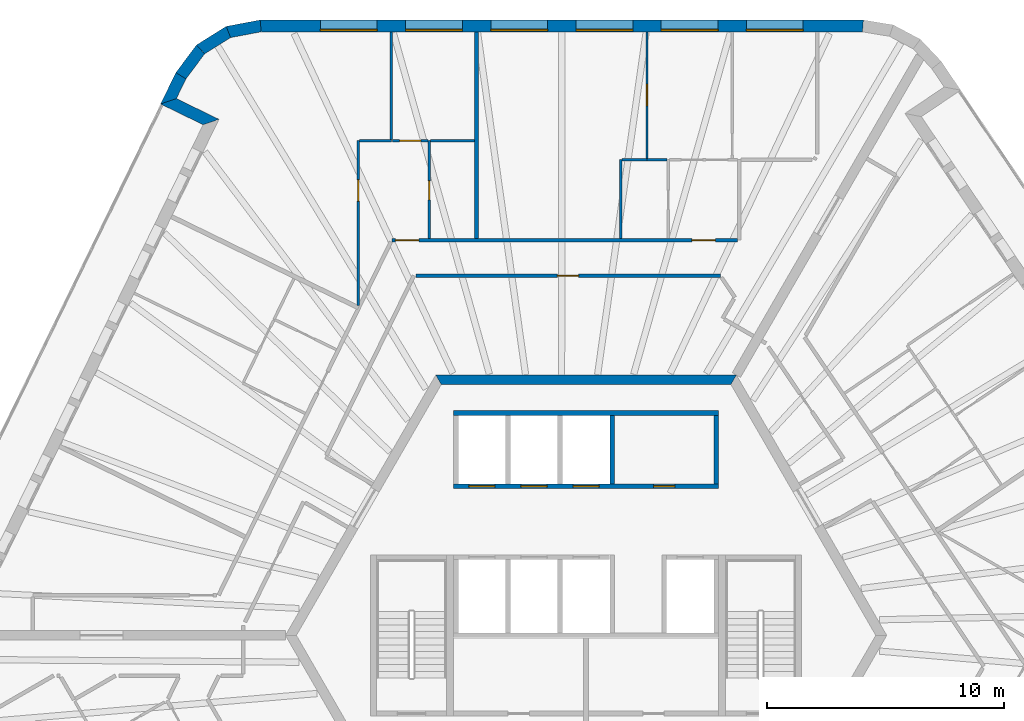
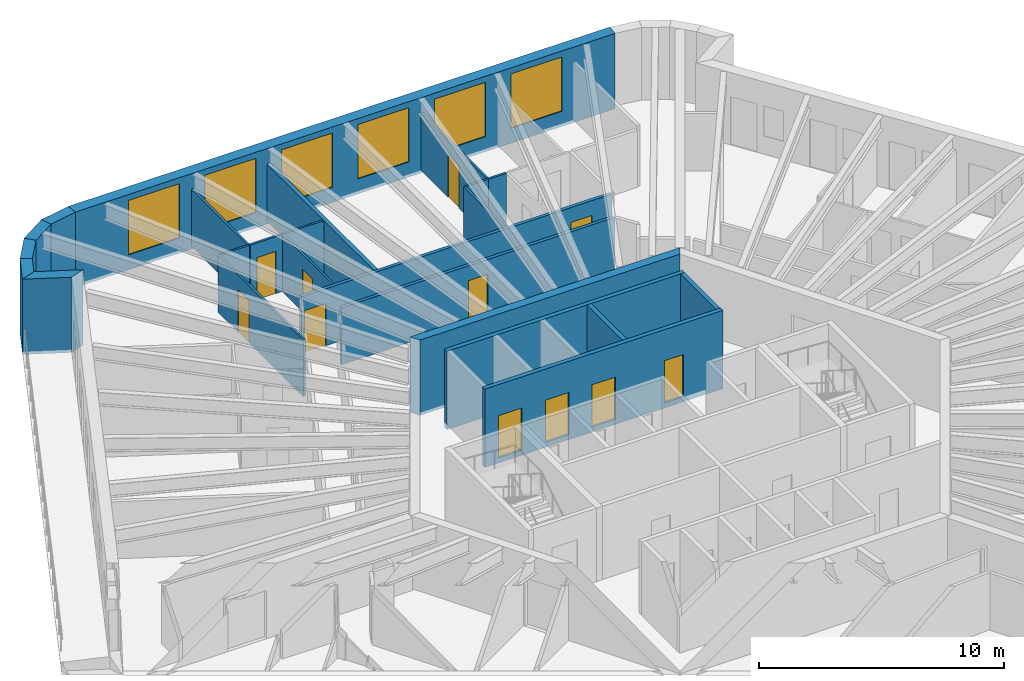
# One storey, part 9 of 12: 24 walls, 11 doors, 6 windows, 17 openings.
"""IFC4 building model written with IfcOpenShell, lengths in metres."""

from ifc_helpers import new_model, si_unit, direction, frame, frame_2d, origin, place, context, subcontext, project, spatial, polyline, rectangle, outline, extrude, material, layer, layer_set, type_object, element, fill, save


model = new_model("IFC4")

# Units and contexts
model_context = context("Model", 3, precision=1e-05, world=origin(), true_north=direction((0.0, 1.0)))
body_context = subcontext(model_context, "Body", "Model", "MODEL_VIEW")
ifc_project = project(units=[si_unit("LENGTHUNIT", "METRE"), si_unit("AREAUNIT", "SQUARE_METRE"), si_unit("VOLUMEUNIT", "CUBIC_METRE"), si_unit("PLANEANGLEUNIT", "RADIAN"), si_unit("MASSUNIT", "GRAM", prefix="KILO")], contexts=[model_context])

# Site, building, storey
site_placement = place(None, origin())
site = spatial("IfcSite", under=ifc_project, at=site_placement, CompositionType="ELEMENT")
building_placement = place(site_placement, origin())
building = spatial("IfcBuilding", under=site, at=building_placement, Name="Tarnside Tower", CompositionType="ELEMENT")
storey_placement = place(building_placement, frame((0.0, 0.0, 334.199951171875)))
storey = spatial("IfcBuildingStorey", under=building, at=storey_placement, Name="L81", CompositionType="ELEMENT", Elevation=334.199951171875)

# Walls
ifc_material_1 = material(Name="Gypsum board partition on steel studs", Category="steel")
ifc_layer_1 = layer(ifc_material_1, 0.10009765625)
ifc_layer_set_1 = layer_set([ifc_layer_1], Name="Bathroom wall 100")
wall_type_1 = type_object("IfcWallType", Name="Bathroom wall 100", PredefinedType="PARTITIONING", material=ifc_layer_set_1)
wall_1_placement = place(storey_placement, frame((1.467041015625, 16.77490234375, 0.0), z_axis=(0.0, 0.0, 1.0), x_axis=(0.0, 1.0, 0.0)))
element("IfcWall", 1, at=wall_1_placement, inside=storey, type_object=wall_type_1, Name="Bathroom wall 26084", PredefinedType="PARTITIONING", context=body_context, shape_type="SweptSolid", body=[
    extrude(rectangle(XDim=3.3251953125, YDim=0.10009765625, at=frame_2d((1.66259765625, 0.0))), origin(), (0.0, 0.0, 1.0), 2.837890625),
])
wall_2_placement = place(storey_placement, frame((1.51708984375, 20.10009765625, 0.0), z_axis=(0.0, 0.0, 1.0), x_axis=(1.0, 0.0, 0.0)))
element("IfcWall", 2, at=wall_2_placement, inside=storey, type_object=wall_type_1, Name="Bathroom wall 26085", PredefinedType="PARTITIONING", context=body_context, shape_type="SweptSolid", body=[
    extrude(rectangle(XDim=1.06005859375, YDim=0.10009765625, at=frame_2d((0.530029296875, 0.0))), origin(), (0.0, 0.0, 1.0), 2.837890625),
])
wall_3_placement = place(storey_placement, frame((3.419189453125, 20.10009765625, 0.0), z_axis=(0.0, 0.0, 1.0), x_axis=(-1.0, 0.0, 0.0)))
element("IfcWall", 3, at=wall_3_placement, inside=storey, type_object=wall_type_1, Name="Bathroom wall 26092", PredefinedType="PARTITIONING", context=body_context, shape_type="SweptSolid", body=[
    extrude(rectangle(XDim=0.843994140625, YDim=0.10009765625, at=frame_2d((0.421875, 0.0))), origin(), (0.0, 0.0, 1.0), 2.837890625),
])

# Wall, opening, door
wall_4_placement = place(storey_placement, frame((-6.624755859375, 16.77490234375, 0.0), z_axis=(0.0, 0.0, 1.0), x_axis=(0.0, 1.0, 0.0)))
wall_4 = element("IfcWall", 4, at=wall_4_placement, inside=storey, type_object=wall_type_1, Name="Bathroom wall 26099", PredefinedType="PARTITIONING", context=body_context, shape_type="SweptSolid", body=[
    extrude(rectangle(XDim=4.125, YDim=0.10009765625, at=frame_2d((2.0625, 0.0))), origin(), (0.0, 0.0, 1.0), 2.837890625),
])
opening_1_placement = place(wall_4_placement, frame((1.625, 0.0, 0.0)))
opening_1 = element("IfcOpeningElement", 5, at=opening_1_placement, cuts=wall_4, Name="Opening D-B1", PredefinedType="OPENING", context=body_context, shape_type="SweptSolid", body=[
    extrude(rectangle(XDim=0.800048828125, YDim=2.10009765625, at=frame_2d((0.39990234375, 1.050048828125))), frame((0.0, 0.06005859375, 0.0), z_axis=(0.0, -1.0, 0.0), x_axis=(1.0, 0.0, 0.0)), (0.0, 0.0, 1.0), 0.1201171875),
])
ifc_material_2 = material(Name="Timber door leaf", Category="wood")
door_type_1 = type_object("IfcDoorType", Name="Bathroom door 800", OperationType="NOTDEFINED", PredefinedType="DOOR", material=ifc_material_2)
door_1_placement = place(opening_1_placement, origin())
door_1 = element("IfcDoor", 6, at=door_1_placement, inside=storey, type_object=door_type_1, Name="Bathroom door 26011", OperationType="SINGLE_SWING_RIGHT", OverallHeight=2.10009765625, OverallWidth=0.800048828125, PredefinedType="DOOR", context=body_context, shape_type="SweptSolid", body=[
    extrude(rectangle(XDim=0.800048828125, YDim=2.10009765625, at=frame_2d((0.39990234375, 1.050048828125))), frame((0.0, 0.02490234375, 0.0), z_axis=(0.0, -1.0, 0.0), x_axis=(1.0, 0.0, 0.0)), (0.0, 0.0, 1.0), 0.050048828125),
])
fill(opening_1, door_1)

# Walls
wall_5_placement = place(storey_placement, frame((-4.71484375, 20.89990234375, 0.0), z_axis=(0.0, 0.0, 1.0), x_axis=(-1.0, 0.0, 0.0)))
element("IfcWall", 7, at=wall_5_placement, inside=storey, type_object=wall_type_1, Name="Bathroom wall 26101", PredefinedType="PARTITIONING", context=body_context, shape_type="SweptSolid", body=[
    extrude(rectangle(XDim=1.862060546875, YDim=0.10009765625, at=frame_2d((0.93115234375, 0.0))), origin(), (0.0, 0.0, 1.0), 2.837890625),
])
ifc_material_3 = material(Name="Concrete C60/75", Category="concrete")
ifc_layer_2 = layer(ifc_material_3, 0.39990234375)
ifc_layer_set_2 = layer_set([ifc_layer_2], Name="Core wall Z3 400 C60/75")
wall_type_2 = type_object("IfcWallType", Name="Core wall Z3 400 C60/75", PredefinedType="SHEAR", material=ifc_layer_set_2)
wall_6_placement = place(storey_placement, frame((6.2353515625, 10.800048828125, -0.14990234375), z_axis=(0.0, 0.0, 1.0), x_axis=(-1.0, 0.0, 0.0)))
element("IfcWall", 8, at=wall_6_placement, inside=storey, type_object=wall_type_2, Name="L81 core wall face 1", PredefinedType="SHEAR", context=body_context, shape_type="SweptSolid", body=[
    extrude(outline(polyline([(-0.115478515625, -0.199951171875), (12.586181640625, -0.199951171875), (12.355224609375, 0.199951171875), (0.115478515625, 0.199951171875), (-0.115478515625, -0.199951171875)])), origin(), (0.0, 0.0, 1.0), 3.75),
])

# Wall, openings, doors
ifc_layer_3 = layer(ifc_material_1, 0.14990234375)
ifc_layer_set_3 = layer_set([ifc_layer_3], Name="Corridor wall 150 EI 60")
wall_type_3 = type_object("IfcWallType", Name="Corridor wall 150 EI 60", PredefinedType="PARTITIONING", material=ifc_layer_set_3)
wall_7_placement = place(storey_placement, frame((6.39208984375, 16.699951171875, 0.0), z_axis=(0.0, 0.0, 1.0), x_axis=(-1.0, 0.0, 0.0)))
wall_7 = element("IfcWall", 9, at=wall_7_placement, inside=storey, type_object=wall_type_3, Name="Corridor wall 26001", PredefinedType="PARTITIONING", context=body_context, shape_type="SweptSolid", body=[
    extrude(rectangle(XDim=14.602294921875, YDim=0.14990234375, at=frame_2d((7.30126953125, 0.0))), origin(), (0.0, 0.0, 1.0), 2.837890625),
])
opening_2_placement = place(wall_7_placement, frame((0.925048828125, 0.0, 0.0)))
opening_2 = element("IfcOpeningElement", 10, at=opening_2_placement, cuts=wall_7, Name="Opening D-E1", PredefinedType="OPENING", context=body_context, shape_type="SweptSolid", body=[
    extrude(rectangle(XDim=1.0, YDim=2.10009765625, at=frame_2d((0.5, 1.050048828125))), frame((0.0, 0.0849609375, 0.0), z_axis=(0.0, -1.0, 0.0), x_axis=(1.0, 0.0, 0.0)), (0.0, 0.0, 1.0), 0.169921875),
])
opening_3_placement = place(wall_7_placement, frame((13.4521484375, 0.0, 0.0)))
opening_3 = element("IfcOpeningElement", 11, at=opening_3_placement, cuts=wall_7, Name="Opening D-E1", PredefinedType="OPENING", context=body_context, shape_type="SweptSolid", body=[
    extrude(rectangle(XDim=1.0, YDim=2.10009765625, at=frame_2d((0.5, 1.050048828125))), frame((0.0, 0.0849609375, 0.0), z_axis=(0.0, -1.0, 0.0), x_axis=(1.0, 0.0, 0.0)), (0.0, 0.0, 1.0), 0.169921875),
])
door_type_2 = type_object("IfcDoorType", Name="Unit entrance door 1000 FD30S", OperationType="NOTDEFINED", PredefinedType="DOOR", material=ifc_material_2)
door_2_placement = place(opening_2_placement, origin())
door_2 = element("IfcDoor", 12, at=door_2_placement, inside=storey, type_object=door_type_2, Name="Unit door 26001", OperationType="SINGLE_SWING_RIGHT", OverallHeight=2.10009765625, OverallWidth=1.0, PredefinedType="DOOR", context=body_context, shape_type="SweptSolid", body=[
    extrude(rectangle(XDim=1.0, YDim=2.10009765625, at=frame_2d((0.5, 1.050048828125))), frame((0.0, 0.02490234375, 0.0), z_axis=(0.0, -1.0, 0.0), x_axis=(1.0, 0.0, 0.0)), (0.0, 0.0, 1.0), 0.050048828125),
])
fill(opening_2, door_2)
door_3_placement = place(opening_3_placement, origin())
door_3 = element("IfcDoor", 13, at=door_3_placement, inside=storey, type_object=door_type_2, Name="Unit door 26010", OperationType="SINGLE_SWING_LEFT", OverallHeight=2.10009765625, OverallWidth=1.0, PredefinedType="DOOR", context=body_context, shape_type="SweptSolid", body=[
    extrude(rectangle(XDim=1.0, YDim=2.10009765625, at=frame_2d((0.5, 1.050048828125))), frame((0.0, 0.02490234375, 0.0), z_axis=(0.0, -1.0, 0.0), x_axis=(1.0, 0.0, 0.0)), (0.0, 0.0, 1.0), 0.050048828125),
])
fill(opening_3, door_3)

# Wall, opening, door
wall_8_placement = place(storey_placement, frame((-7.189453125, 15.199951171875, 0.0), z_axis=(0.0, 0.0, 1.0), x_axis=(1.0, 0.0, 0.0)))
wall_8 = element("IfcWall", 14, at=wall_8_placement, inside=storey, type_object=wall_type_3, Name="Corridor wall 26019", PredefinedType="PARTITIONING", context=body_context, shape_type="SweptSolid", body=[
    extrude(rectangle(XDim=12.85888671875, YDim=0.14990234375, at=frame_2d((6.429443359375, 0.0))), origin(), (0.0, 0.0, 1.0), 2.837890625),
])
opening_4_placement = place(wall_8_placement, frame((5.9794921875, 0.0, 0.0)))
opening_4 = element("IfcOpeningElement", 15, at=opening_4_placement, cuts=wall_8, Name="Opening D-S1", PredefinedType="OPENING", context=body_context, shape_type="SweptSolid", body=[
    extrude(rectangle(XDim=0.89990234375, YDim=2.10009765625, at=frame_2d((0.449951171875, 1.050048828125))), frame((0.0, 0.0849609375, 0.0), z_axis=(0.0, -1.0, 0.0), x_axis=(1.0, 0.0, 0.0)), (0.0, 0.0, 1.0), 0.169921875),
])
door_type_3 = type_object("IfcDoorType", Name="Service room door 900 FD30S", OperationType="NOTDEFINED", PredefinedType="DOOR", material=ifc_material_2)
door_4_placement = place(opening_4_placement, origin())
door_4 = element("IfcDoor", 16, at=door_4_placement, inside=storey, type_object=door_type_3, Name="Service door 26072", OperationType="SINGLE_SWING_LEFT", OverallHeight=2.10009765625, OverallWidth=0.89990234375, PredefinedType="DOOR", context=body_context, shape_type="SweptSolid", body=[
    extrude(rectangle(XDim=0.89990234375, YDim=2.10009765625, at=frame_2d((0.449951171875, 1.050048828125))), frame((0.0, 0.02490234375, 0.0), z_axis=(0.0, -1.0, 0.0), x_axis=(1.0, 0.0, 0.0)), (0.0, 0.0, 1.0), 0.050048828125),
])
fill(opening_4, door_4)

# Wall
ifc_layer_4 = layer(ifc_material_1, 0.179931640625)
ifc_layer_set_4 = layer_set([ifc_layer_4], Name="Demising wall 180 EI 60")
wall_type_4 = type_object("IfcWallType", Name="Demising wall 180 EI 60", PredefinedType="PARTITIONING", material=ifc_layer_set_4)
wall_9_placement = place(storey_placement, frame((-4.624755859375, 25.5, 0.0), z_axis=(0.0, 0.0, 1.0), x_axis=(0.0, -1.0, 0.0)))
element("IfcWall", 17, at=wall_9_placement, inside=storey, type_object=wall_type_4, Name="Demising wall 26087", PredefinedType="PARTITIONING", context=body_context, shape_type="SweptSolid", body=[
    extrude(rectangle(XDim=8.72509765625, YDim=0.179931640625, at=frame_2d((4.362548828125, 0.0))), origin(), (0.0, 0.0, 1.0), 2.837890625),
])

# Wall, openings, doors
ifc_material_4 = material(Name="Concrete C40/50", Category="concrete")
ifc_layer_5 = layer(ifc_material_4, 0.199951171875)
ifc_layer_set_5 = layer_set([ifc_layer_5], Name="Lift shaft wall 200 C40/50")
wall_type_5 = type_object("IfcWallType", Name="Lift shaft wall 200 C40/50", PredefinedType="SHEAR", material=ifc_layer_set_5)
wall_10_placement = place(storey_placement, frame((-5.60009765625, 6.300048828125, -0.25), z_axis=(0.0, 0.0, 1.0), x_axis=(1.0, 0.0, 0.0)))
wall_10 = element("IfcWall", 18, at=wall_10_placement, inside=storey, type_object=wall_type_5, Name="L81 lift shaft front wall R1", PredefinedType="SHEAR", context=body_context, shape_type="SweptSolid", body=[
    extrude(rectangle(XDim=11.2001953125, YDim=0.199951171875, at=frame_2d((5.60009765625, 0.0))), origin(), (0.0, 0.0, 1.0), 3.900146484375),
])
opening_5_placement = place(wall_10_placement, frame((8.449951171875, 0.0, 0.25)))
opening_5 = element("IfcOpeningElement", 19, at=opening_5_placement, cuts=wall_10, Name="Opening CD-room", PredefinedType="OPENING", context=body_context, shape_type="SweptSolid", body=[
    extrude(rectangle(XDim=0.89990234375, YDim=2.10009765625, at=frame_2d((0.449951171875, 1.050048828125))), frame((0.0, 0.10986328125, 0.0), z_axis=(0.0, -1.0, 0.0), x_axis=(1.0, 0.0, 0.0)), (0.0, 0.0, 1.0), 0.219970703125),
])
opening_6_placement = place(wall_10_placement, frame((0.64990234375, 0.0, 0.25)))
opening_6 = element("IfcOpeningElement", 20, at=opening_6_placement, cuts=wall_10, Name="Opening LD", PredefinedType="OPENING", context=body_context, shape_type="SweptSolid", body=[
    extrude(rectangle(XDim=1.10009765625, YDim=2.10009765625, at=frame_2d((0.550048828125, 1.050048828125))), frame((0.0, 0.10986328125, 0.0), z_axis=(0.0, -1.0, 0.0), x_axis=(1.0, 0.0, 0.0)), (0.0, 0.0, 1.0), 0.219970703125),
])
opening_7_placement = place(wall_10_placement, frame((2.85009765625, 0.0, 0.25)))
opening_7 = element("IfcOpeningElement", 21, at=opening_7_placement, cuts=wall_10, Name="Opening LD", PredefinedType="OPENING", context=body_context, shape_type="SweptSolid", body=[
    extrude(rectangle(XDim=1.10009765625, YDim=2.10009765625, at=frame_2d((0.550048828125, 1.050048828125))), frame((0.0, 0.10986328125, 0.0), z_axis=(0.0, -1.0, 0.0), x_axis=(1.0, 0.0, 0.0)), (0.0, 0.0, 1.0), 0.219970703125),
])
opening_8_placement = place(wall_10_placement, frame((5.050048828125, 0.0, 0.25)))
opening_8 = element("IfcOpeningElement", 22, at=opening_8_placement, cuts=wall_10, Name="Opening LD", PredefinedType="OPENING", context=body_context, shape_type="SweptSolid", body=[
    extrude(rectangle(XDim=1.10009765625, YDim=2.10009765625, at=frame_2d((0.550048828125, 1.050048828125))), frame((0.0, 0.10986328125, 0.0), z_axis=(0.0, -1.0, 0.0), x_axis=(1.0, 0.0, 0.0)), (0.0, 0.0, 1.0), 0.219970703125),
])
ifc_material_5 = material(Name="Stainless steel", Category="steel")
door_type_4 = type_object("IfcDoorType", Name="Lift landing door 1100x2100", OperationType="NOTDEFINED", PredefinedType="DOOR", material=ifc_material_5)
door_5_placement = place(opening_6_placement, origin())
door_5 = element("IfcDoor", 23, at=door_5_placement, inside=storey, type_object=door_type_4, Name="High-rise lift 1 landing door L81", OperationType="SLIDING_TO_LEFT", OverallHeight=2.10009765625, OverallWidth=1.10009765625, PredefinedType="DOOR", context=body_context, shape_type="SweptSolid", body=[
    extrude(rectangle(XDim=1.10009765625, YDim=2.10009765625, at=frame_2d((0.550048828125, 1.050048828125))), frame((0.0, 0.02490234375, 0.0), z_axis=(0.0, -1.0, 0.0), x_axis=(1.0, 0.0, 0.0)), (0.0, 0.0, 1.0), 0.050048828125),
])
fill(opening_6, door_5)
door_6_placement = place(opening_7_placement, origin())
door_6 = element("IfcDoor", 24, at=door_6_placement, inside=storey, type_object=door_type_4, Name="High-rise lift 2 landing door L81", OperationType="SLIDING_TO_LEFT", OverallHeight=2.10009765625, OverallWidth=1.10009765625, PredefinedType="DOOR", context=body_context, shape_type="SweptSolid", body=[
    extrude(rectangle(XDim=1.10009765625, YDim=2.10009765625, at=frame_2d((0.550048828125, 1.050048828125))), frame((0.0, 0.02490234375, 0.0), z_axis=(0.0, -1.0, 0.0), x_axis=(1.0, 0.0, 0.0)), (0.0, 0.0, 1.0), 0.050048828125),
])
fill(opening_7, door_6)
door_7_placement = place(opening_8_placement, origin())
door_7 = element("IfcDoor", 25, at=door_7_placement, inside=storey, type_object=door_type_4, Name="High-rise lift 3 landing door L81", OperationType="SLIDING_TO_LEFT", OverallHeight=2.10009765625, OverallWidth=1.10009765625, PredefinedType="DOOR", context=body_context, shape_type="SweptSolid", body=[
    extrude(rectangle(XDim=1.10009765625, YDim=2.10009765625, at=frame_2d((0.550048828125, 1.050048828125))), frame((0.0, 0.02490234375, 0.0), z_axis=(0.0, -1.0, 0.0), x_axis=(1.0, 0.0, 0.0)), (0.0, 0.0, 1.0), 0.050048828125),
])
fill(opening_8, door_7)
ifc_material_6 = material(Name="Steel fire door", Category="steel")
door_type_5 = type_object("IfcDoorType", Name="Room door FD60 900x2100", OperationType="NOTDEFINED", PredefinedType="DOOR", material=ifc_material_6)
door_8_placement = place(opening_5_placement, origin())
door_8 = element("IfcDoor", 26, at=door_8_placement, inside=storey, type_object=door_type_5, Name="L81 core room door FC1", OperationType="SINGLE_SWING_LEFT", OverallHeight=2.10009765625, OverallWidth=0.89990234375, PredefinedType="DOOR", context=body_context, shape_type="SweptSolid", body=[
    extrude(rectangle(XDim=0.89990234375, YDim=2.10009765625, at=frame_2d((0.449951171875, 1.050048828125))), frame((0.0, 0.02490234375, 0.0), z_axis=(0.0, -1.0, 0.0), x_axis=(1.0, 0.0, 0.0)), (0.0, 0.0, 1.0), 0.050048828125),
])
fill(opening_5, door_8)

# Walls
wall_11_placement = place(storey_placement, frame((-5.60009765625, 9.39990234375, -0.25), z_axis=(0.0, 0.0, 1.0), x_axis=(1.0, 0.0, 0.0)))
element("IfcWall", 27, at=wall_11_placement, inside=storey, type_object=wall_type_5, Name="L81 lift shaft back wall R1", PredefinedType="SHEAR", context=body_context, shape_type="SweptSolid", body=[
    extrude(rectangle(XDim=11.2001953125, YDim=0.199951171875, at=frame_2d((5.60009765625, 0.0))), origin(), (0.0, 0.0, 1.0), 3.900146484375),
])
for number, where, z_axis, x_axis, name in (
    (28, (1.10009765625, 6.39990234375, -0.25), (0.0, 0.0, 1.0), (0.0, 1.0, 0.0), "L81 lift shaft partition R14"),
    (29, (5.5, 6.39990234375, -0.25), (0.0, 0.0, 1.0), (0.0, 1.0, 0.0), "L81 lift shaft partition R16"),
):
    element("IfcWall", number, at=place(storey_placement, frame(where, z_axis=z_axis, x_axis=x_axis)), inside=storey, type_object=wall_type_5, Name=name, PredefinedType="SHEAR", context=body_context, shape_type="SweptSolid", body=[
        extrude(rectangle(XDim=2.900146484375, YDim=0.199951171875, at=frame_2d((1.4501953125, 0.0))), origin(), (0.0, 0.0, 1.0), 3.900146484375),
    ])
ifc_material_7 = material(Name="Dark zinc cladding")
ifc_layer_6 = layer(ifc_material_7, 0.10205078125)
ifc_material_8 = material(Name="Concrete C60/75 precast", Category="concrete")
ifc_layer_7 = layer(ifc_material_8, 0.298095703125)
ifc_material_9 = material(Name="Mineral wool insulation")
ifc_layer_8 = layer(ifc_material_9, 0.10009765625)
ifc_layer_set_6 = layer_set([ifc_layer_6, ifc_layer_7, ifc_layer_8], Name="Loggia wall 500 zinc faced")
wall_type_6 = type_object("IfcWallType", Name="Loggia wall 500 zinc faced", PredefinedType="SOLIDWALL", material=ifc_layer_set_6)
wall_12_placement = place(storey_placement, frame((-17.11767578125, 23.643798828125, -0.14990234375), z_axis=(0.0, 0.0, 1.0), x_axis=(-0.438319390103, -0.898819287877, 0.0)))
element("IfcWall", 30, at=wall_12_placement, inside=storey, type_object=wall_type_6, Name="Tube wall L81 F2 stub 04", PredefinedType="SOLIDWALL", context=body_context, shape_type="SweptSolid", body=[
    extrude(outline(polyline([(-0.0234375, -0.25), (1.44970703125, -0.25), (0.94970703125, 0.25), (0.0234375, 0.25), (-0.0234375, -0.25)])), origin(), (0.0, 0.0, 1.0), 3.75),
])
wall_13_placement = place(storey_placement, frame((-17.6435546875, 22.5654296875, -0.14990234375), z_axis=(0.0, 0.0, 1.0), x_axis=(0.898754367686, -0.43845249066, 0.0)))
element("IfcWall", 31, at=wall_13_placement, inside=storey, type_object=wall_type_6, Name="Tube wall L81 F2 return 05", PredefinedType="SOLIDWALL", context=body_context, shape_type="SweptSolid", body=[
    extrude(outline(polyline([(-0.25, -0.25), (1.75, -0.25), (2.25, 0.25), (0.25, 0.25), (-0.25, -0.25)])), origin(), (0.0, 0.0, 1.0), 3.75),
])

# Wall, opening, door
ifc_layer_9 = layer(ifc_material_1, 0.10009765625)
ifc_layer_set_7 = layer_set([ifc_layer_9], Name="Partition 100")
wall_type_7 = type_object("IfcWallType", Name="Partition 100", PredefinedType="PARTITIONING", material=ifc_layer_set_7)
wall_14_placement = place(storey_placement, frame((2.5751953125, 20.14990234375, 0.0), z_axis=(0.0, 0.0, 1.0), x_axis=(0.0, 1.0, 0.0)))
wall_14 = element("IfcWall", 32, at=wall_14_placement, inside=storey, type_object=wall_type_7, Name="Partition wall 26086", PredefinedType="PARTITIONING", context=body_context, shape_type="SweptSolid", body=[
    extrude(rectangle(XDim=5.35009765625, YDim=0.10009765625, at=frame_2d((2.675048828125, 0.0))), origin(), (0.0, 0.0, 1.0), 2.837890625),
])
opening_9_placement = place(wall_14_placement, frame((2.22509765625, 0.0, 0.0)))
opening_9 = element("IfcOpeningElement", 33, at=opening_9_placement, cuts=wall_14, Name="Opening D-I1", PredefinedType="OPENING", context=body_context, shape_type="SweptSolid", body=[
    extrude(rectangle(XDim=0.89990234375, YDim=2.10009765625, at=frame_2d((0.449951171875, 1.050048828125))), frame((0.0, 0.06005859375, 0.0), z_axis=(0.0, -1.0, 0.0), x_axis=(1.0, 0.0, 0.0)), (0.0, 0.0, 1.0), 0.1201171875),
])
door_type_6 = type_object("IfcDoorType", Name="Internal door 900", OperationType="NOTDEFINED", PredefinedType="DOOR", material=ifc_material_2)
door_9_placement = place(opening_9_placement, origin())
door_9 = element("IfcDoor", 34, at=door_9_placement, inside=storey, type_object=door_type_6, Name="Internal door 26070", OperationType="SINGLE_SWING_LEFT", OverallHeight=2.10009765625, OverallWidth=0.89990234375, PredefinedType="DOOR", context=body_context, shape_type="SweptSolid", body=[
    extrude(rectangle(XDim=0.89990234375, YDim=2.10009765625, at=frame_2d((0.449951171875, 1.050048828125))), frame((0.0, 0.02490234375, 0.0), z_axis=(0.0, -1.0, 0.0), x_axis=(1.0, 0.0, 0.0)), (0.0, 0.0, 1.0), 0.050048828125),
])
fill(opening_9, door_9)

wall_15_placement = place(storey_placement, frame((-9.624755859375, 13.9453125, 0.0), z_axis=(0.0, 0.0, 1.0), x_axis=(0.0, 1.0, 0.0)))
wall_15 = element("IfcWall", 35, at=wall_15_placement, inside=storey, type_object=wall_type_7, Name="Partition wall 26094", PredefinedType="PARTITIONING", context=body_context, shape_type="SweptSolid", body=[
    extrude(rectangle(XDim=6.95458984375, YDim=0.10009765625, at=frame_2d((3.477294921875, 0.0))), origin(), (0.0, 0.0, 1.0), 2.837890625),
])
opening_10_placement = place(wall_15_placement, frame((4.40478515625, 0.0, 0.0)))
opening_10 = element("IfcOpeningElement", 36, at=opening_10_placement, cuts=wall_15, Name="Opening D-I1", PredefinedType="OPENING", context=body_context, shape_type="SweptSolid", body=[
    extrude(rectangle(XDim=0.89990234375, YDim=2.10009765625, at=frame_2d((0.449951171875, 1.050048828125))), frame((0.0, 0.06005859375, 0.0), z_axis=(0.0, -1.0, 0.0), x_axis=(1.0, 0.0, 0.0)), (0.0, 0.0, 1.0), 0.1201171875),
])
door_10_placement = place(opening_10_placement, origin())
door_10 = element("IfcDoor", 37, at=door_10_placement, inside=storey, type_object=door_type_6, Name="Internal door 26012", OperationType="SINGLE_SWING_LEFT", OverallHeight=2.10009765625, OverallWidth=0.89990234375, PredefinedType="DOOR", context=body_context, shape_type="SweptSolid", body=[
    extrude(rectangle(XDim=0.89990234375, YDim=2.10009765625, at=frame_2d((0.449951171875, 1.050048828125))), frame((0.0, 0.02490234375, 0.0), z_axis=(0.0, -1.0, 0.0), x_axis=(1.0, 0.0, 0.0)), (0.0, 0.0, 1.0), 0.050048828125),
])
fill(opening_10, door_10)

# Walls
wall_16_placement = place(storey_placement, frame((-9.57470703125, 20.89990234375, 0.0), z_axis=(0.0, 0.0, 1.0), x_axis=(1.0, 0.0, 0.0)))
element("IfcWall", 38, at=wall_16_placement, inside=storey, type_object=wall_type_7, Name="Partition wall 26095", PredefinedType="PARTITIONING", context=body_context, shape_type="SweptSolid", body=[
    extrude(rectangle(XDim=1.351806640625, YDim=0.10009765625, at=frame_2d((0.67578125, 0.0))), origin(), (0.0, 0.0, 1.0), 2.837890625),
])
wall_17_placement = place(storey_placement, frame((-8.224853515625, 20.949951171875, 0.0), z_axis=(0.0, 0.0, 1.0), x_axis=(0.0, 1.0, 0.0)))
element("IfcWall", 39, at=wall_17_placement, inside=storey, type_object=wall_type_7, Name="Partition wall 26096", PredefinedType="PARTITIONING", context=body_context, shape_type="SweptSolid", body=[
    extrude(rectangle(XDim=4.550048828125, YDim=0.10009765625, at=frame_2d((2.27490234375, 0.0))), origin(), (0.0, 0.0, 1.0), 2.837890625),
])

# Wall, opening, door
wall_18_placement = place(storey_placement, frame((-6.6728515625, 20.89990234375, 0.0), z_axis=(0.0, 0.0, 1.0), x_axis=(-1.0, 0.0, 0.0)))
wall_18 = element("IfcWall", 40, at=wall_18_placement, inside=storey, type_object=wall_type_7, Name="Partition wall 26100", PredefinedType="PARTITIONING", context=body_context, shape_type="SweptSolid", body=[
    extrude(rectangle(XDim=1.501953125, YDim=0.10009765625, at=frame_2d((0.7509765625, 0.0))), origin(), (0.0, 0.0, 1.0), 2.837890625),
])
opening_11_placement = place(wall_18_placement, frame((0.302001953125, 0.0, 0.0)))
opening_11 = element("IfcOpeningElement", 41, at=opening_11_placement, cuts=wall_18, Name="Opening D-I1", PredefinedType="OPENING", context=body_context, shape_type="SweptSolid", body=[
    extrude(rectangle(XDim=0.89990234375, YDim=2.10009765625, at=frame_2d((0.449951171875, 1.050048828125))), frame((0.0, 0.06005859375, 0.0), z_axis=(0.0, -1.0, 0.0), x_axis=(1.0, 0.0, 0.0)), (0.0, 0.0, 1.0), 0.1201171875),
])
door_11_placement = place(opening_11_placement, origin())
door_11 = element("IfcDoor", 42, at=door_11_placement, inside=storey, type_object=door_type_6, Name="Internal door 26013", OperationType="SINGLE_SWING_RIGHT", OverallHeight=2.10009765625, OverallWidth=0.89990234375, PredefinedType="DOOR", context=body_context, shape_type="SweptSolid", body=[
    extrude(rectangle(XDim=0.89990234375, YDim=2.10009765625, at=frame_2d((0.449951171875, 1.050048828125))), frame((0.0, 0.02490234375, 0.0), z_axis=(0.0, -1.0, 0.0), x_axis=(1.0, 0.0, 0.0)), (0.0, 0.0, 1.0), 0.050048828125),
])
fill(opening_11, door_11)

# Wall, openings, windows
ifc_material_10 = material(Name="Facing brick", Category="masonry")
ifc_layer_10 = layer(ifc_material_10, 0.10205078125)
ifc_layer_11 = layer(ifc_material_8, 0.298095703125)
ifc_layer_12 = layer(ifc_material_9, 0.10009765625)
ifc_layer_set_8 = layer_set([ifc_layer_10, ifc_layer_11, ifc_layer_12], Name="Tube wall 500 brick faced")
wall_type_8 = type_object("IfcWallType", Name="Tube wall 500 brick faced", PredefinedType="SOLIDWALL", material=ifc_layer_set_8)
wall_19_placement = place(storey_placement, frame((11.697509765625, 25.75, -0.14990234375), z_axis=(0.0, 0.0, 1.0), x_axis=(-1.0, 0.0, 0.0)))
wall_19 = element("IfcWall", 43, at=wall_19_placement, inside=storey, type_object=wall_type_8, Name="Tube wall L81 F1 flush 00", PredefinedType="SOLIDWALL", context=body_context, shape_type="SweptSolid", body=[
    extrude(outline(polyline([(-0.0205078125, -0.25), (25.468017578125, -0.25), (25.421142578125, 0.25), (0.0205078125, 0.25), (-0.0205078125, -0.25)])), origin(), (0.0, 0.0, 1.0), 3.75),
])
opening_12_placement = place(wall_19_placement, frame((2.5224609375, 0.0, 0.75)))
opening_12 = element("IfcOpeningElement", 44, at=opening_12_placement, cuts=wall_19, Name="Opening WR", PredefinedType="OPENING", context=body_context, shape_type="SweptSolid", body=[
    extrude(rectangle(XDim=2.39990234375, YDim=2.699951171875, at=frame_2d((1.199951171875, 1.35009765625))), frame((0.0, 0.260009765625, 0.0), z_axis=(0.0, -1.0, 0.0), x_axis=(1.0, 0.0, 0.0)), (0.0, 0.0, 1.0), 0.52001953125),
])
opening_13_placement = place(wall_19_placement, frame((6.122314453125, 0.0, 0.75)))
opening_13 = element("IfcOpeningElement", 45, at=opening_13_placement, cuts=wall_19, Name="Opening WR", PredefinedType="OPENING", context=body_context, shape_type="SweptSolid", body=[
    extrude(rectangle(XDim=2.39990234375, YDim=2.699951171875, at=frame_2d((1.199951171875, 1.35009765625))), frame((0.0, 0.260009765625, 0.0), z_axis=(0.0, -1.0, 0.0), x_axis=(1.0, 0.0, 0.0)), (0.0, 0.0, 1.0), 0.52001953125),
])
opening_14_placement = place(wall_19_placement, frame((9.722412109375, 0.0, 0.75)))
opening_14 = element("IfcOpeningElement", 46, at=opening_14_placement, cuts=wall_19, Name="Opening WR", PredefinedType="OPENING", context=body_context, shape_type="SweptSolid", body=[
    extrude(rectangle(XDim=2.39990234375, YDim=2.699951171875, at=frame_2d((1.199951171875, 1.35009765625))), frame((0.0, 0.260009765625, 0.0), z_axis=(0.0, -1.0, 0.0), x_axis=(1.0, 0.0, 0.0)), (0.0, 0.0, 1.0), 0.52001953125),
])
opening_15_placement = place(wall_19_placement, frame((13.322509765625, 0.0, 0.75)))
opening_15 = element("IfcOpeningElement", 47, at=opening_15_placement, cuts=wall_19, Name="Opening WR", PredefinedType="OPENING", context=body_context, shape_type="SweptSolid", body=[
    extrude(rectangle(XDim=2.39990234375, YDim=2.699951171875, at=frame_2d((1.199951171875, 1.35009765625))), frame((0.0, 0.260009765625, 0.0), z_axis=(0.0, -1.0, 0.0), x_axis=(1.0, 0.0, 0.0)), (0.0, 0.0, 1.0), 0.52001953125),
])
opening_16_placement = place(wall_19_placement, frame((16.92236328125, 0.0, 0.75)))
opening_16 = element("IfcOpeningElement", 48, at=opening_16_placement, cuts=wall_19, Name="Opening WR", PredefinedType="OPENING", context=body_context, shape_type="SweptSolid", body=[
    extrude(rectangle(XDim=2.39990234375, YDim=2.699951171875, at=frame_2d((1.199951171875, 1.35009765625))), frame((0.0, 0.260009765625, 0.0), z_axis=(0.0, -1.0, 0.0), x_axis=(1.0, 0.0, 0.0)), (0.0, 0.0, 1.0), 0.52001953125),
])
opening_17_placement = place(wall_19_placement, frame((20.5224609375, 0.0, 0.75)))
opening_17 = element("IfcOpeningElement", 49, at=opening_17_placement, cuts=wall_19, Name="Opening WR", PredefinedType="OPENING", context=body_context, shape_type="SweptSolid", body=[
    extrude(rectangle(XDim=2.39990234375, YDim=2.699951171875, at=frame_2d((1.199951171875, 1.35009765625))), frame((0.0, 0.260009765625, 0.0), z_axis=(0.0, -1.0, 0.0), x_axis=(1.0, 0.0, 0.0)), (0.0, 0.0, 1.0), 0.52001953125),
])
ifc_material_11 = material(Name="Aluminium-framed double glazing", Category="aluminium")
window_type = type_object("IfcWindowType", Name="Residence window 2400 x 2700", PartitioningType="DOUBLE_PANEL_VERTICAL", PredefinedType="WINDOW", material=ifc_material_11)
window_1_placement = place(opening_12_placement, frame((0.0, 0.179931640625, 0.0)))
window_1 = element("IfcWindow", 50, at=window_1_placement, inside=storey, type_object=window_type, Name="E.WN.L81.F1.00", OverallHeight=2.699951171875, OverallWidth=2.39990234375, PartitioningType="DOUBLE_PANEL_VERTICAL", PredefinedType="WINDOW", context=body_context, shape_type="SweptSolid", body=[
    extrude(rectangle(XDim=2.39990234375, YDim=2.699951171875, at=frame_2d((1.199951171875, 1.35009765625))), frame((0.0, 0.030029296875, 0.0), z_axis=(0.0, -1.0, 0.0), x_axis=(1.0, 0.0, 0.0)), (0.0, 0.0, 1.0), 0.06005859375),
])
fill(opening_12, window_1)
window_2_placement = place(opening_13_placement, frame((0.0, 0.179931640625, 0.0)))
window_2 = element("IfcWindow", 51, at=window_2_placement, inside=storey, type_object=window_type, Name="E.WN.L81.F1.01", OverallHeight=2.699951171875, OverallWidth=2.39990234375, PartitioningType="DOUBLE_PANEL_VERTICAL", PredefinedType="WINDOW", context=body_context, shape_type="SweptSolid", body=[
    extrude(rectangle(XDim=2.39990234375, YDim=2.699951171875, at=frame_2d((1.199951171875, 1.35009765625))), frame((0.0, 0.030029296875, 0.0), z_axis=(0.0, -1.0, 0.0), x_axis=(1.0, 0.0, 0.0)), (0.0, 0.0, 1.0), 0.06005859375),
])
fill(opening_13, window_2)
window_3_placement = place(opening_14_placement, frame((0.0, 0.179931640625, 0.0)))
window_3 = element("IfcWindow", 52, at=window_3_placement, inside=storey, type_object=window_type, Name="E.WN.L81.F1.02", OverallHeight=2.699951171875, OverallWidth=2.39990234375, PartitioningType="DOUBLE_PANEL_VERTICAL", PredefinedType="WINDOW", context=body_context, shape_type="SweptSolid", body=[
    extrude(rectangle(XDim=2.39990234375, YDim=2.699951171875, at=frame_2d((1.199951171875, 1.35009765625))), frame((0.0, 0.030029296875, 0.0), z_axis=(0.0, -1.0, 0.0), x_axis=(1.0, 0.0, 0.0)), (0.0, 0.0, 1.0), 0.06005859375),
])
fill(opening_14, window_3)
window_4_placement = place(opening_15_placement, frame((0.0, 0.179931640625, 0.0)))
window_4 = element("IfcWindow", 53, at=window_4_placement, inside=storey, type_object=window_type, Name="E.WN.L81.F1.03", OverallHeight=2.699951171875, OverallWidth=2.39990234375, PartitioningType="DOUBLE_PANEL_VERTICAL", PredefinedType="WINDOW", context=body_context, shape_type="SweptSolid", body=[
    extrude(rectangle(XDim=2.39990234375, YDim=2.699951171875, at=frame_2d((1.199951171875, 1.35009765625))), frame((0.0, 0.030029296875, 0.0), z_axis=(0.0, -1.0, 0.0), x_axis=(1.0, 0.0, 0.0)), (0.0, 0.0, 1.0), 0.06005859375),
])
fill(opening_15, window_4)
window_5_placement = place(opening_16_placement, frame((0.0, 0.179931640625, 0.0)))
window_5 = element("IfcWindow", 54, at=window_5_placement, inside=storey, type_object=window_type, Name="E.WN.L81.F1.04", OverallHeight=2.699951171875, OverallWidth=2.39990234375, PartitioningType="DOUBLE_PANEL_VERTICAL", PredefinedType="WINDOW", context=body_context, shape_type="SweptSolid", body=[
    extrude(rectangle(XDim=2.39990234375, YDim=2.699951171875, at=frame_2d((1.199951171875, 1.35009765625))), frame((0.0, 0.030029296875, 0.0), z_axis=(0.0, -1.0, 0.0), x_axis=(1.0, 0.0, 0.0)), (0.0, 0.0, 1.0), 0.06005859375),
])
fill(opening_16, window_5)
window_6_placement = place(opening_17_placement, frame((0.0, 0.179931640625, 0.0)))
window_6 = element("IfcWindow", 55, at=window_6_placement, inside=storey, type_object=window_type, Name="E.WN.L81.F1.05", OverallHeight=2.699951171875, OverallWidth=2.39990234375, PartitioningType="DOUBLE_PANEL_VERTICAL", PredefinedType="WINDOW", context=body_context, shape_type="SweptSolid", body=[
    extrude(rectangle(XDim=2.39990234375, YDim=2.699951171875, at=frame_2d((1.199951171875, 1.35009765625))), frame((0.0, 0.030029296875, 0.0), z_axis=(0.0, -1.0, 0.0), x_axis=(1.0, 0.0, 0.0)), (0.0, 0.0, 1.0), 0.06005859375),
])
fill(opening_17, window_6)

# Walls
wall_20_placement = place(storey_placement, frame((-13.7470703125, 25.75, -0.14990234375), z_axis=(0.0, 0.0, 1.0), x_axis=(-0.982736538448, -0.185010529429, 0.0)))
element("IfcWall", 56, at=wall_20_placement, inside=storey, type_object=wall_type_8, Name="Tube wall L81 F1 chord 01", PredefinedType="SOLIDWALL", context=body_context, shape_type="SweptSolid", body=[
    extrude(outline(polyline([(-0.0234375, -0.25), (1.435302734375, -0.25), (1.341064453125, 0.25), (0.0234375, 0.25), (-0.0234375, -0.25)])), origin(), (0.0, 0.0, 1.0), 3.75),
])
wall_21_placement = place(storey_placement, frame((-15.111328125, 25.4931640625, -0.14990234375), z_axis=(0.0, 0.0, 1.0), x_axis=(-0.847978544293, -0.530030554231, 0.0)))
element("IfcWall", 57, at=wall_21_placement, inside=storey, type_object=wall_type_8, Name="Tube wall L81 F1 chord 02", PredefinedType="SOLIDWALL", context=body_context, shape_type="SweptSolid", body=[
    extrude(outline(polyline([(-0.047119140625, -0.25), (1.435302734375, -0.25), (1.341064453125, 0.25), (0.047119140625, 0.25), (-0.047119140625, -0.25)])), origin(), (0.0, 0.0, 1.0), 3.75),
])
wall_22_placement = place(storey_placement, frame((-16.28857421875, 24.75732421875, -0.14990234375), z_axis=(0.0, 0.0, 1.0), x_axis=(-0.597210785942, -0.802084332945, 0.0)))
element("IfcWall", 58, at=wall_22_placement, inside=storey, type_object=wall_type_8, Name="Tube wall L81 F1 chord 03", PredefinedType="SOLIDWALL", context=body_context, shape_type="SweptSolid", body=[
    extrude(outline(polyline([(-0.047119140625, -0.25), (1.41162109375, -0.25), (1.36474609375, 0.25), (0.047119140625, 0.25), (-0.047119140625, -0.25)])), origin(), (0.0, 0.0, 1.0), 3.75),
])

save(model, "model.ifc")
